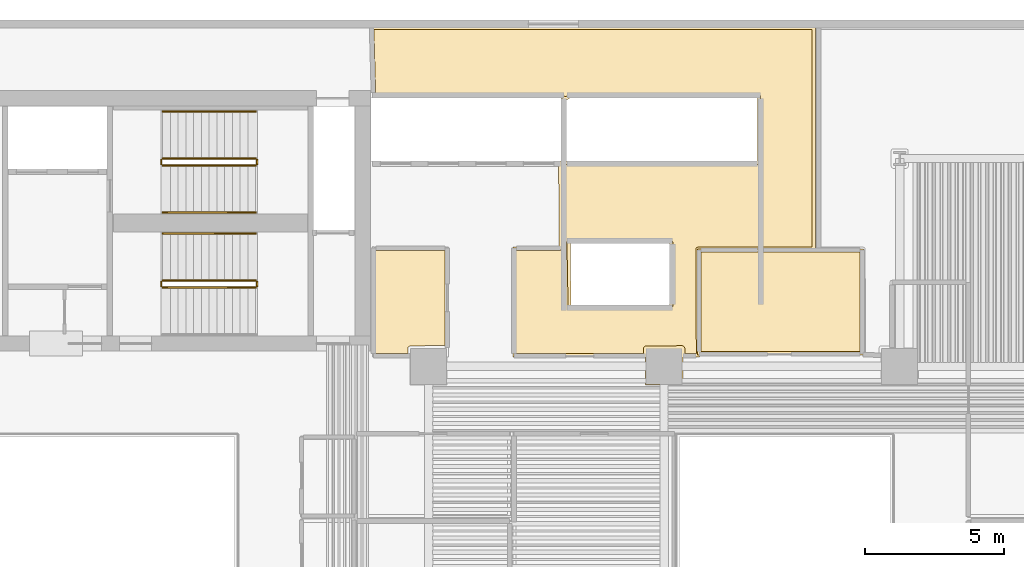
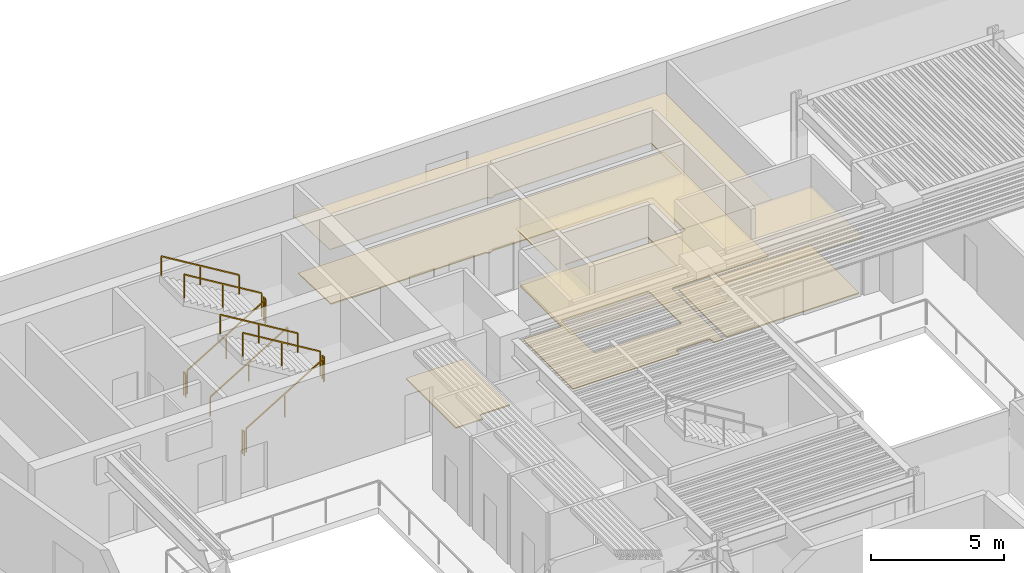
# One storey, part 11 of 12: 11 railings, 5 coverings.
"""IFC4 building model written with IfcOpenShell, lengths in metres."""

from ifc_helpers import new_model, si_unit, direction, frame, origin, origin_2d, place, context, subcontext, project, spatial, polyline, rectangle, outline, extrude, material, layer, layer_set, type_object, element, save


model = new_model("IFC4")

# Units and contexts
model_context = context("Model", 3, precision=1e-05, world=origin(), true_north=direction((0.0, 1.0)))
body_context = subcontext(model_context, "Body", "Model", "MODEL_VIEW")
ifc_project = project(units=[si_unit("LENGTHUNIT", "METRE"), si_unit("AREAUNIT", "SQUARE_METRE"), si_unit("VOLUMEUNIT", "CUBIC_METRE"), si_unit("PLANEANGLEUNIT", "RADIAN"), si_unit("MASSUNIT", "GRAM", prefix="KILO")], contexts=[model_context])

# Site, building, storey
site_placement = place(None, origin())
site = spatial("IfcSite", under=ifc_project, at=site_placement, CompositionType="ELEMENT")
building_placement = place(site_placement, origin())
building = spatial("IfcBuilding", under=site, at=building_placement, Name="Caeloran Harvest Quay", CompositionType="ELEMENT")
storey_placement = place(building_placement, frame((0.0, 0.0, 79.800048828125)))
storey = spatial("IfcBuildingStorey", under=building, at=storey_placement, Name="L18", CompositionType="ELEMENT", Elevation=79.800048828125)

# Coverings
ifc_material_1 = material(Name="Perforated Mineral-Fibre Acoustic Ceiling Tile", Category="ceiling")
ifc_layer_1 = layer(ifc_material_1, 0.0400390625, Name="Perforated Mineral-Fibre Acoustic Ceiling Tile")
ifc_layer_set_1 = layer_set([ifc_layer_1], Name="Perforated Mineral-Fibre Acoustic Ceiling Tile")
covering_type_1 = type_object("IfcCoveringType", Name="COV-CEILING-ACOUSTIC", PredefinedType="CEILING", material=ifc_layer_set_1)
covering_1_placement = place(storey_placement, frame((0.0, 0.0, 2.599853515625)))
element("IfcCovering", 1, at=covering_1_placement, inside=storey, type_object=covering_type_1, Name="L18 Core Telemetry Control Room Acoustic Ceiling", PredefinedType="CEILING", context=body_context, shape_type="SweptSolid", body=[
    extrude(outline(polyline([(41.18994140625, 35.239990234375), (41.18994140625, 31.409912109375), (35.2099609375, 31.409912109375), (35.2099609375, 35.239990234375), (41.18994140625, 35.239990234375)])), origin(), (0.0, 0.0, 1.0), 0.0400390625),
])
covering_2_placement = place(storey_placement, frame((0.0, 0.0, 2.599853515625)))
element("IfcCovering", 2, at=covering_2_placement, inside=storey, type_object=covering_type_1, Name="Seed Library Reading Lounge 12 Acoustic Ceiling", PredefinedType="CEILING", context=body_context, shape_type="SweptSolid", body=[
    extrude(outline(polyline([(34.669921875, 30.330078125), (33.330078125, 30.330078125), (33.330078125, 31.340087890625), (28.5400390625, 31.340087890625), (28.5400390625, 35.31005859375), (30.209716796875, 35.31005859375), (30.189697265625, 38.409912109375), (37.3701171875, 38.409912109375), (37.3701171875, 40.68994140625), (30.61083984375, 40.68994140625), (30.43994140625, 40.5888671875), (30.26904296875, 40.68994140625), (23.47119140625, 40.68994140625), (23.399658203125, 43.280029296875), (39.4599609375, 43.280029296875), (39.4599609375, 35.18994140625), (35.26025390625, 35.18994140625), (35.2802734375, 31.340087890625), (34.669921875, 31.340087890625), (34.669921875, 30.330078125)]), holes=[polyline([(30.610595703125, 35.43994140625), (30.639404296875, 33.2099609375), (34.18994140625, 33.2099609375), (34.18994140625, 35.43994140625), (30.610595703125, 35.43994140625)])]), origin(), (0.0, 0.0, 1.0), 0.0400390625),
])
ifc_material_2 = material(Name="Calcium-Sulphate Raised Access Floor and Terrazzo Finish", Category="flooring")
ifc_layer_2 = layer(ifc_material_2, 0.050048828125, Name="Calcium-Sulphate Raised Access Floor and Terrazzo Finish")
ifc_layer_set_2 = layer_set([ifc_layer_2], Name="Calcium-Sulphate Raised Access Floor and Terrazzo Finish")
covering_type_2 = type_object("IfcCoveringType", Name="COV-FLOOR-RAISED", PredefinedType="FLOORING", material=ifc_layer_set_2)
covering_3_placement = place(storey_placement, origin())
element("IfcCovering", 3, at=covering_3_placement, inside=storey, type_object=covering_type_2, Name="L18 Core Telemetry Control Room Raised Finish Flooring", PredefinedType="FLOORING", context=body_context, shape_type="SweptSolid", body=[
    extrude(outline(polyline([(41.070068359375, 35.1201171875), (41.070068359375, 31.530029296875), (35.330078125, 31.530029296875), (35.330078125, 35.1201171875), (41.070068359375, 35.1201171875)])), origin(), (0.0, 0.0, 1.0), 0.050048828125),
])
covering_4_placement = place(storey_placement, origin())
element("IfcCovering", 4, at=covering_4_placement, inside=storey, type_object=covering_type_2, Name="Sensory Fermentation Kitchen 10 Raised Finish Flooring", PredefinedType="FLOORING", context=body_context, shape_type="SweptSolid", body=[
    extrude(outline(polyline([(23.590087890625, 35.18994140625), (26.090087890625, 35.18994140625), (26.090087890625, 31.7451171875), (24.8271484375, 31.74462890625), (24.75830078125, 31.688232421875), (24.7548828125, 31.4599609375), (23.590087890625, 31.4599609375), (23.590087890625, 35.18994140625)])), origin(), (0.0, 0.0, 1.0), 0.050048828125),
])
covering_5_placement = place(storey_placement, origin())
element("IfcCovering", 5, at=covering_5_placement, inside=storey, type_object=covering_type_2, Name="Seed Library Reading Lounge 12 Raised Finish Flooring", PredefinedType="FLOORING", context=body_context, shape_type="SweptSolid", body=[
    extrude(outline(polyline([(39.340087890625, 35.31005859375), (35.219970703125, 35.31005859375), (35.163330078125, 35.286376953125), (35.139892578125, 35.2294921875), (35.15966796875, 31.4599609375), (34.7451171875, 31.4599609375), (34.74169921875, 31.688232421875), (34.6650390625, 31.7451171875), (33.3193359375, 31.743408203125), (33.256591796875, 31.6806640625), (33.2548828125, 31.4599609375), (28.659912109375, 31.4599609375), (28.659912109375, 35.18994140625), (30.25, 35.18994140625), (30.32080078125, 35.232666015625), (30.310546875, 38.2900390625), (37.43310546875, 38.29345703125), (37.489990234375, 38.3701171875), (37.48388671875, 40.760498046875), (37.409912109375, 40.81005859375), (30.60009765625, 40.81005859375), (30.43994140625, 40.728271484375), (30.280029296875, 40.81005859375), (23.587890625, 40.81005859375), (23.523193359375, 43.159912109375), (39.340087890625, 43.159912109375), (39.340087890625, 35.31005859375)]), holes=[polyline([(34.31005859375, 35.47998046875), (34.28662109375, 35.53662109375), (34.22998046875, 35.56005859375), (30.525146484375, 35.54638671875), (30.489990234375, 35.47900390625), (30.53369140625, 33.125), (30.60009765625, 33.090087890625), (34.2744140625, 33.103515625), (34.31005859375, 33.169921875), (34.31005859375, 35.47998046875)])]), origin(), (0.0, 0.0, 1.0), 0.050048828125),
])

# Railings
ifc_material_3 = material(Name="Painted Steel Baluster and Top-Rail Stair Guard", Category="steel")
ifc_layer_3 = layer(ifc_material_3, 0.050048828125, Name="Painted Steel Baluster and Top-Rail Stair Guard")
ifc_layer_set_3 = layer_set([ifc_layer_3], Name="Painted Steel Baluster and Top-Rail Stair Guard")
railing_type_1 = type_object("IfcRailingType", Name="STAIR-GUARD-1100", PredefinedType="GUARDRAIL", material=ifc_layer_set_3)
railing_1_placement = place(storey_placement, frame((15.89990234375, 38.25, 0.169189453125)))
element("IfcRailing", 6, at=railing_1_placement, inside=storey, type_object=railing_type_1, Name="L18 ST-C1 stair guard 1", PredefinedType="GUARDRAIL", context=body_context, shape_type="SweptSolid", body=[
    extrude(rectangle(XDim=0.048095703125, YDim=0.048095703125, at=origin_2d()), frame((0.0, 0.0, 1.076171875), z_axis=(0.855836976705, 0.0, 0.517245656632), x_axis=(0.0, 1.0, 0.0)), (0.0, 0.0, 1.0), 3.926025390625),
    extrude(rectangle(XDim=0.0419921875, YDim=0.0419921875, at=origin_2d()), origin(), (0.0, 0.0, 1.0), 1.052001953125),
    extrude(rectangle(XDim=0.0419921875, YDim=0.0419921875, at=origin_2d()), frame((1.68017578125, 0.0, 1.015380859375)), (0.0, 0.0, 1.0), 1.052001953125),
    extrude(rectangle(XDim=0.0419921875, YDim=0.0419921875, at=origin_2d()), frame((3.360107421875, 0.0, 2.03076171875)), (0.0, 0.0, 1.0), 1.052001953125),
])
railing_2_placement = place(storey_placement, frame((19.31005859375, 38.300048828125, 2.199951171875)))
element("IfcRailing", 7, at=railing_2_placement, inside=storey, type_object=railing_type_1, Name="L18 ST-C1 stair guard 2", PredefinedType="GUARDRAIL", context=body_context, shape_type="SweptSolid", body=[
    extrude(rectangle(XDim=0.048095703125, YDim=0.048095703125, at=origin_2d()), frame((0.0, 0.0, 1.076171875), z_axis=(0.0, 1.0, 0.0), x_axis=(-1.0, 0.0, 0.0)), (0.0, 0.0, 1.0), 0.14990234375),
    extrude(rectangle(XDim=0.0419921875, YDim=0.0419921875, at=origin_2d()), origin(), (0.0, 0.0, 1.0), 1.052001953125),
    extrude(rectangle(XDim=0.0419921875, YDim=0.0419921875, at=origin_2d()), frame((0.0, 0.14990234375, 0.0)), (0.0, 0.0, 1.0), 1.052001953125),
])
railing_3_placement = place(storey_placement, frame((19.260009765625, 38.5, 2.369140625)))
element("IfcRailing", 8, at=railing_3_placement, inside=storey, type_object=railing_type_1, Name="L18 ST-C1 stair guard 3", PredefinedType="GUARDRAIL", context=body_context, shape_type="SweptSolid", body=[
    extrude(rectangle(XDim=0.048095703125, YDim=0.048095703125, at=origin_2d()), frame((0.0, 0.0, 1.076171875), z_axis=(-0.855836976705, 0.0, 0.517245656632), x_axis=(0.0, -1.0, 0.0)), (0.0, 0.0, 1.0), 3.926025390625),
    extrude(rectangle(XDim=0.0419921875, YDim=0.0419921875, at=origin_2d()), origin(), (0.0, 0.0, 1.0), 1.052001953125),
    extrude(rectangle(XDim=0.0419921875, YDim=0.0419921875, at=origin_2d()), frame((-1.68017578125, 0.0, 1.015380859375)), (0.0, 0.0, 1.0), 1.052001953125),
    extrude(rectangle(XDim=0.0419921875, YDim=0.0419921875, at=origin_2d()), frame((-3.360107421875, 0.0, 2.03076171875)), (0.0, 0.0, 1.0), 1.052001953125),
])
railing_4_placement = place(storey_placement, frame((15.85009765625, 38.300048828125, 0.0)))
element("IfcRailing", 9, at=railing_4_placement, inside=storey, type_object=railing_type_1, Name="L18 ST-C1 stair guard 4", PredefinedType="GUARDRAIL", context=body_context, shape_type="SweptSolid", body=[
    extrude(rectangle(XDim=0.048095703125, YDim=0.048095703125, at=origin_2d()), frame((0.0, 0.0, 1.076171875), z_axis=(0.0, 1.0, 0.0), x_axis=(-1.0, 0.0, 0.0)), (0.0, 0.0, 1.0), 0.14990234375),
    extrude(rectangle(XDim=0.0419921875, YDim=0.0419921875, at=origin_2d()), origin(), (0.0, 0.0, 1.0), 1.052001953125),
    extrude(rectangle(XDim=0.0419921875, YDim=0.0419921875, at=origin_2d()), frame((0.0, 0.14990234375, 0.0)), (0.0, 0.0, 1.0), 1.052001953125),
])
railing_5_placement = place(storey_placement, frame((15.89990234375, 33.85009765625, 0.169189453125)))
element("IfcRailing", 10, at=railing_5_placement, inside=storey, type_object=railing_type_1, Name="L18 ST-C2 stair guard 1", PredefinedType="GUARDRAIL", context=body_context, shape_type="SweptSolid", body=[
    extrude(rectangle(XDim=0.048095703125, YDim=0.048095703125, at=origin_2d()), frame((0.0, 0.0, 1.076171875), z_axis=(0.855836976705, 0.0, 0.517245656632), x_axis=(0.0, 1.0, 0.0)), (0.0, 0.0, 1.0), 3.926025390625),
    extrude(rectangle(XDim=0.0419921875, YDim=0.0419921875, at=origin_2d()), origin(), (0.0, 0.0, 1.0), 1.052001953125),
    extrude(rectangle(XDim=0.0419921875, YDim=0.0419921875, at=origin_2d()), frame((1.68017578125, 0.0, 1.015380859375)), (0.0, 0.0, 1.0), 1.052001953125),
    extrude(rectangle(XDim=0.0419921875, YDim=0.0419921875, at=origin_2d()), frame((3.360107421875, 0.0, 2.03076171875)), (0.0, 0.0, 1.0), 1.052001953125),
])
railing_6_placement = place(storey_placement, frame((19.31005859375, 33.89990234375, 2.199951171875)))
element("IfcRailing", 11, at=railing_6_placement, inside=storey, type_object=railing_type_1, Name="L18 ST-C2 stair guard 2", PredefinedType="GUARDRAIL", context=body_context, shape_type="SweptSolid", body=[
    extrude(rectangle(XDim=0.048095703125, YDim=0.048095703125, at=origin_2d()), frame((0.0, 0.0, 1.076171875), z_axis=(0.0, 1.0, 0.0), x_axis=(-1.0, 0.0, 0.0)), (0.0, 0.0, 1.0), 0.150146484375),
    extrude(rectangle(XDim=0.0419921875, YDim=0.0419921875, at=origin_2d()), origin(), (0.0, 0.0, 1.0), 1.052001953125),
    extrude(rectangle(XDim=0.0419921875, YDim=0.0419921875, at=origin_2d()), frame((0.0, 0.150146484375, 0.0)), (0.0, 0.0, 1.0), 1.052001953125),
])
railing_7_placement = place(storey_placement, frame((19.260009765625, 34.10009765625, 2.369140625)))
element("IfcRailing", 12, at=railing_7_placement, inside=storey, type_object=railing_type_1, Name="L18 ST-C2 stair guard 3", PredefinedType="GUARDRAIL", context=body_context, shape_type="SweptSolid", body=[
    extrude(rectangle(XDim=0.048095703125, YDim=0.048095703125, at=origin_2d()), frame((0.0, 0.0, 1.076171875), z_axis=(-0.855836976705, 0.0, 0.517245656632), x_axis=(0.0, -1.0, 0.0)), (0.0, 0.0, 1.0), 3.926025390625),
    extrude(rectangle(XDim=0.0419921875, YDim=0.0419921875, at=origin_2d()), origin(), (0.0, 0.0, 1.0), 1.052001953125),
    extrude(rectangle(XDim=0.0419921875, YDim=0.0419921875, at=origin_2d()), frame((-1.68017578125, 0.0, 1.015380859375)), (0.0, 0.0, 1.0), 1.052001953125),
    extrude(rectangle(XDim=0.0419921875, YDim=0.0419921875, at=origin_2d()), frame((-3.360107421875, 0.0, 2.03076171875)), (0.0, 0.0, 1.0), 1.052001953125),
])
railing_8_placement = place(storey_placement, frame((15.85009765625, 33.89990234375, 0.0)))
element("IfcRailing", 13, at=railing_8_placement, inside=storey, type_object=railing_type_1, Name="L18 ST-C2 stair guard 4", PredefinedType="GUARDRAIL", context=body_context, shape_type="SweptSolid", body=[
    extrude(rectangle(XDim=0.048095703125, YDim=0.048095703125, at=origin_2d()), frame((0.0, 0.0, 1.076171875), z_axis=(0.0, 1.0, 0.0), x_axis=(-1.0, 0.0, 0.0)), (0.0, 0.0, 1.0), 0.150146484375),
    extrude(rectangle(XDim=0.0419921875, YDim=0.0419921875, at=origin_2d()), origin(), (0.0, 0.0, 1.0), 1.052001953125),
    extrude(rectangle(XDim=0.0419921875, YDim=0.0419921875, at=origin_2d()), frame((0.0, 0.150146484375, 0.0)), (0.0, 0.0, 1.0), 1.052001953125),
])
ifc_material_4 = material(Name="Brushed Stainless Steel Grade 304", Category="steel")
ifc_layer_4 = layer(ifc_material_4, 0.050048828125, Name="Brushed Stainless Steel Grade 304")
ifc_layer_set_4 = layer_set([ifc_layer_4], Name="Brushed Stainless Steel Grade 304")
railing_type_2 = type_object("IfcRailingType", Name="STAIR-HANDRAIL-900", PredefinedType="HANDRAIL", material=ifc_layer_set_4)
railing_9_placement = place(storey_placement, frame((15.89990234375, 36.550048828125, 0.169189453125)))
element("IfcRailing", 14, at=railing_9_placement, inside=storey, type_object=railing_type_2, Name="L18 ST-C1 stair handrail 1", PredefinedType="HANDRAIL", context=body_context, shape_type="SweptSolid", body=[
    extrude(rectangle(XDim=0.048095703125, YDim=0.048095703125, at=origin_2d()), frame((0.0, 0.0, 0.8759765625), z_axis=(0.855836976705, 0.0, 0.517245656632), x_axis=(0.0, 1.0, 0.0)), (0.0, 0.0, 1.0), 3.926025390625),
    extrude(rectangle(XDim=0.0419921875, YDim=0.0419921875, at=origin_2d()), origin(), (0.0, 0.0, 1.0), 0.851806640625),
    extrude(rectangle(XDim=0.0419921875, YDim=0.0419921875, at=origin_2d()), frame((1.68017578125, 0.0, 1.015380859375)), (0.0, 0.0, 1.0), 0.851806640625),
    extrude(rectangle(XDim=0.0419921875, YDim=0.0419921875, at=origin_2d()), frame((3.360107421875, 0.0, 2.03076171875)), (0.0, 0.0, 1.0), 0.851806640625),
])
for number, where, name in (
    (15, (19.260009765625, 40.199951171875, 2.369140625), "L18 ST-C1 stair handrail 2"),
    (16, (19.260009765625, 35.800048828125, 2.369140625), "L18 ST-C2 stair handrail 2"),
):
    element("IfcRailing", number, at=place(storey_placement, frame(where)), inside=storey, type_object=railing_type_2, Name=name, PredefinedType="HANDRAIL", context=body_context, shape_type="SweptSolid", body=[
        extrude(rectangle(XDim=0.048095703125, YDim=0.048095703125, at=origin_2d()), frame((0.0, 0.0, 0.8759765625), z_axis=(-0.855836976705, 0.0, 0.517245656632), x_axis=(0.0, -1.0, 0.0)), (0.0, 0.0, 1.0), 3.926025390625),
        extrude(rectangle(XDim=0.0419921875, YDim=0.0419921875, at=origin_2d()), origin(), (0.0, 0.0, 1.0), 0.851806640625),
        extrude(rectangle(XDim=0.0419921875, YDim=0.0419921875, at=origin_2d()), frame((-1.68017578125, 0.0, 1.015380859375)), (0.0, 0.0, 1.0), 0.851806640625),
        extrude(rectangle(XDim=0.0419921875, YDim=0.0419921875, at=origin_2d()), frame((-3.360107421875, 0.0, 2.03076171875)), (0.0, 0.0, 1.0), 0.851806640625),
    ])

save(model, "model.ifc")
